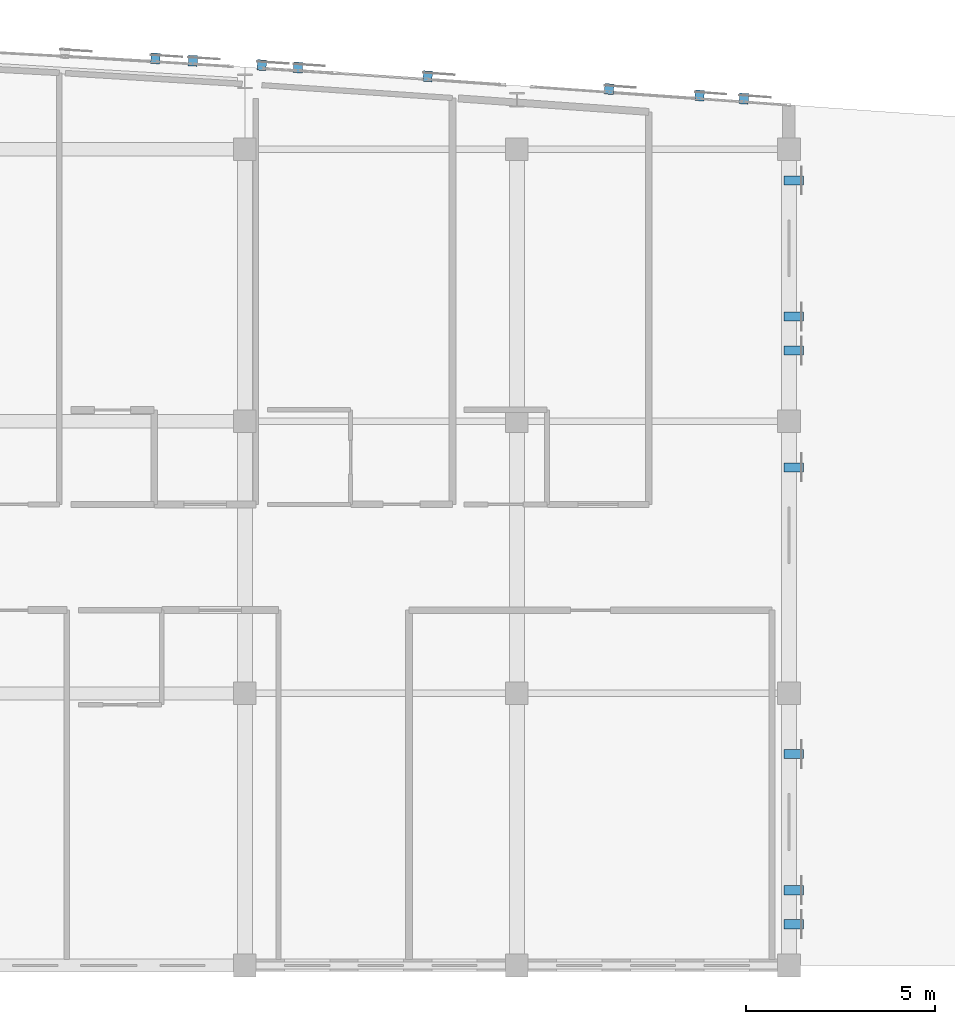
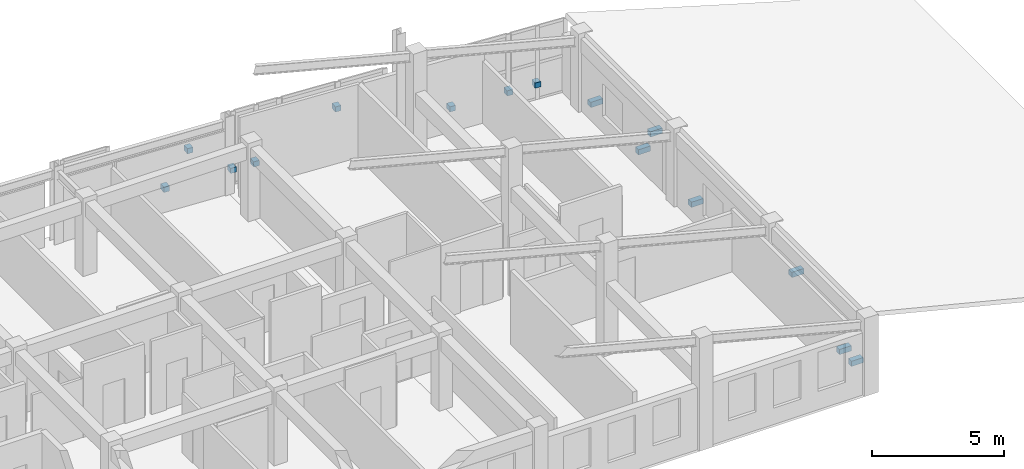
# One storey, part 39 of 41: 15 discrete accessories.
"""IFC4 building model written with IfcOpenShell, lengths in metres."""

from ifc_helpers import new_model, si_unit, direction, frame, origin, origin_2d, place, context, subcontext, project, spatial, rectangle, extrude, material, type_object, element, save


model = new_model("IFC4")

# Units and contexts
model_context = context("Model", 3, precision=1e-05, world=origin(), true_north=direction((0.0, 1.0)))
body_context = subcontext(model_context, "Body", "Model", "MODEL_VIEW")
ifc_project = project(units=[si_unit("LENGTHUNIT", "METRE"), si_unit("AREAUNIT", "SQUARE_METRE"), si_unit("VOLUMEUNIT", "CUBIC_METRE"), si_unit("PLANEANGLEUNIT", "RADIAN"), si_unit("MASSUNIT", "GRAM", prefix="KILO")], contexts=[model_context])

# Site, building, storey
site_placement = place(None, origin())
site = spatial("IfcSite", under=ifc_project, at=site_placement, CompositionType="ELEMENT")
building_placement = place(site_placement, origin())
building = spatial("IfcBuilding", under=site, at=building_placement, Name="Carrowvane Square Congress Hotel", CompositionType="ELEMENT")
storey_placement = place(building_placement, frame((0.0, 0.0, 37.199951171875)))
storey = spatial("IfcBuildingStorey", under=building, at=storey_placement, Name="L09", CompositionType="ELEMENT", Elevation=37.199951171875)

# Discrete accessories
ifc_material = material(Name="Stainless steel 316", Category="steel")
discrete_accessory_type = type_object("IfcDiscreteAccessoryType", Name="ACC-BRK-SS", PredefinedType="BRACKET", material=ifc_material)
for number, where, z_axis, x_axis, name in (
    (1, (124.434814453125, 115.80224609375, 0.56005859375), (0.0, 0.0, 1.0), (0.998051413269, -0.062396926785, 0.0), "Pixel screen mullion bracket 903"),
    (2, (125.425048828125, 115.740478515625, 2.0302734375), (0.0, 0.0, 1.0), (0.998051413269, -0.062396926785, 0.0), "Pixel screen mullion bracket 904"),
    (3, (127.24853515625, 115.625, 0.56005859375), (0.0, 0.0, 1.0), (0.99785825325, -0.065413350476, 0.0), "Pixel screen mullion bracket 905"),
    (4, (128.20947265625, 115.56201171875, 0.56005859375), (0.0, 0.0, 1.0), (0.99785825325, -0.065413350476, 0.0), "Pixel screen mullion bracket 906"),
    (5, (131.640380859375, 115.3310546875, 2.0302734375), (0.0, 0.0, 1.0), (0.997566258056, -0.069724893606, 0.0), "Pixel screen mullion bracket 907"),
    (6, (136.440673828125, 114.992431640625, 0.56005859375), (0.0, 0.0, 1.0), (0.997438267187, -0.071532532122, 0.0), "Pixel screen mullion bracket 908"),
    (7, (138.835693359375, 114.82080078125, 0.56005859375), (0.0, 0.0, 1.0), (0.997446326449, -0.071420066188, 0.0), "Pixel screen mullion bracket 909"),
    (8, (140.005615234375, 114.737060546875, 0.56005859375), (0.0, 0.0, 1.0), (0.997446326449, -0.071420066188, 0.0), "Pixel screen mullion bracket 910"),
):
    element("IfcDiscreteAccessory", number, at=place(storey_placement, frame(where, z_axis=z_axis, x_axis=x_axis)), inside=storey, type_object=discrete_accessory_type, Name=name, PredefinedType="BRACKET", context=body_context, shape_type="SweptSolid", body=[
        extrude(rectangle(XDim=0.239990234375, YDim=0.280029296875, at=origin_2d()), origin(), (0.0, 0.0, 1.0), 0.239990234375),
    ])
for number, where, z_axis, x_axis, name in (
    (9, (141.324951171875, 112.5712890625, 0.56005859375), (0.0, 0.0, 1.0), (0.0, -1.0, 0.0), "V5 pixel screen bracket 911"),
    (10, (141.324951171875, 108.97119140625, 0.56005859375), (0.0, 0.0, 1.0), (0.0, -1.0, 0.0), "V5 pixel screen bracket 912"),
    (11, (141.324951171875, 108.0712890625, 1.93017578125), (0.0, 0.0, 1.0), (0.0, -1.0, 0.0), "V5 pixel screen bracket 913"),
    (12, (141.324951171875, 104.98095703125, 0.56005859375), (0.0, 0.0, 1.0), (0.0, -1.0, 0.0), "V5 pixel screen bracket 914"),
    (13, (141.324951171875, 97.390380859375, 1.93017578125), (0.0, 0.0, 1.0), (0.0, -1.0, 0.0), "V5 pixel screen bracket 915"),
    (14, (141.324951171875, 93.79052734375, 0.56005859375), (0.0, 0.0, 1.0), (0.0, -1.0, 0.0), "V5 pixel screen bracket 916"),
    (15, (141.324951171875, 92.890380859375, 0.56005859375), (0.0, 0.0, 1.0), (0.0, -1.0, 0.0), "V5 pixel screen bracket 917"),
):
    element("IfcDiscreteAccessory", number, at=place(storey_placement, frame(where, z_axis=z_axis, x_axis=x_axis)), inside=storey, type_object=discrete_accessory_type, Name=name, PredefinedType="BRACKET", context=body_context, shape_type="SweptSolid", body=[
        extrude(rectangle(XDim=0.239990234375, YDim=0.52001953125, at=origin_2d()), origin(), (0.0, 0.0, 1.0), 0.239990234375),
    ])

save(model, "model.ifc")
